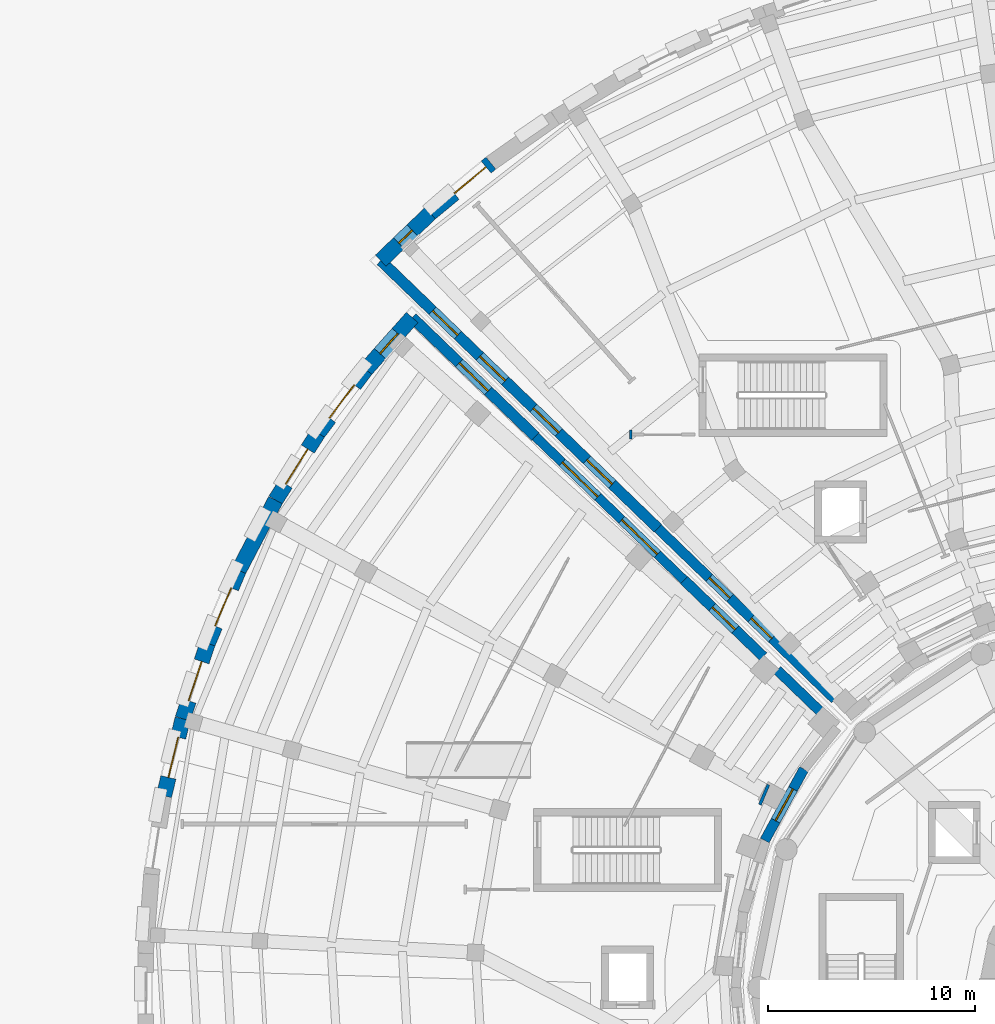
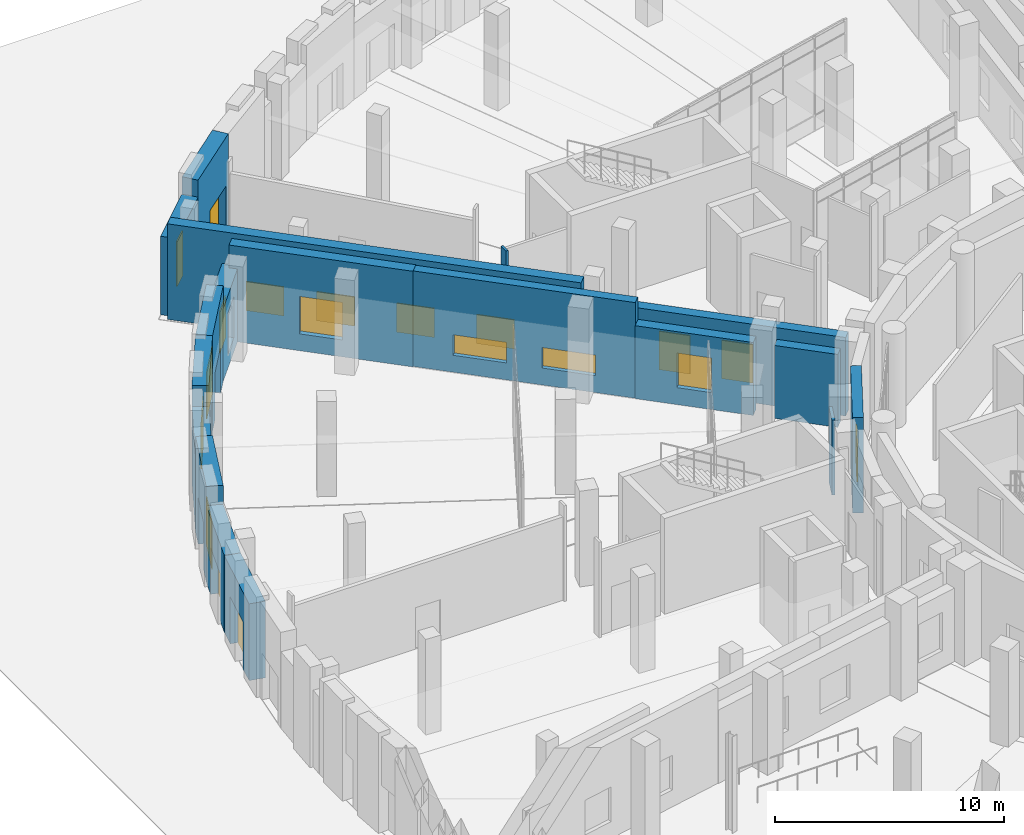
# One storey, part 48 of 74: 18 walls, 13 windows, 6 doors, 19 openings.
"""IFC4 building model written with IfcOpenShell, lengths in metres."""

from ifc_helpers import new_model, si_unit, direction, frame, frame_2d, origin, place, context, subcontext, project, spatial, rectangle, extrude, material, layer, layer_set, type_object, element, fill, save


model = new_model("IFC4")

# Units and contexts
model_context = context("Model", 3, precision=1e-05, world=origin(), true_north=direction((0.0, 1.0)))
body_context = subcontext(model_context, "Body", "Model", "MODEL_VIEW")
ifc_project = project(units=[si_unit("LENGTHUNIT", "METRE"), si_unit("AREAUNIT", "SQUARE_METRE"), si_unit("VOLUMEUNIT", "CUBIC_METRE"), si_unit("PLANEANGLEUNIT", "RADIAN"), si_unit("MASSUNIT", "GRAM", prefix="KILO")], contexts=[model_context])

# Site, building, storey
site_placement = place(None, origin())
site = spatial("IfcSite", under=ifc_project, at=site_placement, CompositionType="ELEMENT")
building_placement = place(site_placement, origin())
building = spatial("IfcBuilding", under=site, at=building_placement, Name="Soyqirgoq Riverine Aquarium", CompositionType="ELEMENT")
storey_placement = place(building_placement, origin())
storey = spatial("IfcBuildingStorey", under=building, at=storey_placement, Name="L01", CompositionType="ELEMENT", Elevation=0.0)

# Walls
ifc_material_1 = material(Name="Lightweight steel-stud gypsum partition", Category="steel")
ifc_layer_1 = layer(ifc_material_1, 0.1201171875)
ifc_layer_set_1 = layer_set([ifc_layer_1], Name="Lightweight steel-stud gypsum partition")
wall_type_1 = type_object("IfcWallType", Name="PartitionWall_120_Std", PredefinedType="PARTITIONING", material=ifc_layer_set_1)
wall_1_placement = place(storey_placement, frame((32.340087890625, 83.9599609375, 0.0), z_axis=(0.0, 0.0, 1.0), x_axis=(0.0, -1.0, 0.0)))
element("IfcWall", 1, at=wall_1_placement, inside=storey, type_object=wall_type_1, Name="V4 L01 Jamb Return Pier", PredefinedType="PARTITIONING", context=body_context, shape_type="SweptSolid", body=[
    extrude(rectangle(XDim=0.43994140625, YDim=0.1201171875, at=frame_2d((0.219970703125, 0.0))), origin(), (0.0, 0.0, 1.0), 4.489990234375),
])
ifc_material_2 = material(Name="Acoustic mineral-wool twin-stud partition", Category="gypsum")
ifc_layer_2 = layer(ifc_material_2, 0.14990234375)
ifc_layer_set_2 = layer_set([ifc_layer_2], Name="Acoustic mineral-wool twin-stud partition")
wall_type_2 = type_object("IfcWallType", Name="PartitionWall_150_Acoustic", PredefinedType="PARTITIONING", material=ifc_layer_set_2)
wall_2_placement = place(storey_placement, frame((39.0087890625, 66.809814453125, 0.0), z_axis=(0.0, 0.0, 1.0), x_axis=(-0.390722739326, -0.920508414396, 0.0)))
element("IfcWall", 2, at=wall_2_placement, inside=storey, type_object=wall_type_2, Name="Riverine Gallery Partition Wall", PredefinedType="PARTITIONING", context=body_context, shape_type="SweptSolid", body=[
    extrude(rectangle(XDim=1.051513671875, YDim=0.14990234375, at=frame_2d((0.52587890625, 0.0))), origin(), (0.0, 0.0, 1.0), 3.989990234375),
])

# Wall, openings, windows
ifc_material_3 = material(Name="Honed travertine limestone cavity wall", Category="masonry")
ifc_layer_3 = layer(ifc_material_3, 0.449951171875)
ifc_layer_set_3 = layer_set([ifc_layer_3], Name="Honed travertine limestone cavity wall")
wall_type_3 = type_object("IfcWallType", Name="TravertineCavityWall_450", PredefinedType="SOLIDWALL", material=ifc_layer_set_3)
wall_3_placement = place(storey_placement, frame((27.7392578125, 83.651611328125, 0.0), z_axis=(0.0, 0.0, 1.0), x_axis=(0.719337111916, -0.694661154392, 0.0)))
wall_3 = element("IfcWall", 3, at=wall_3_placement, inside=storey, type_object=wall_type_3, Name="V3 L01 Exterior Travertine Wall 0113", PredefinedType="SOLIDWALL", context=body_context, shape_type="SweptSolid", body=[
    extrude(rectangle(XDim=10.002685546875, YDim=0.449951171875, at=frame_2d((5.00146484375, 0.0))), origin(), (0.0, 0.0, 1.0), 5.10009765625),
])
opening_1_placement = place(wall_3_placement, frame((1.801513671875, 0.0, 0.89990234375)))
opening_1 = element("IfcOpeningElement", 4, at=opening_1_placement, cuts=wall_3, Name="Opening WN-10", PredefinedType="OPENING", context=body_context, shape_type="SweptSolid", body=[
    extrude(rectangle(XDim=2.39990234375, YDim=1.10009765625, at=frame_2d((1.199951171875, 0.550048828125))), frame((0.0, 0.23486328125, 0.0), z_axis=(0.0, -1.0, 0.0), x_axis=(1.0, 0.0, 0.0)), (0.0, 0.0, 1.0), 0.469970703125),
])
opening_2_placement = place(wall_3_placement, frame((5.801513671875, 0.0, 0.89990234375)))
opening_2 = element("IfcOpeningElement", 5, at=opening_2_placement, cuts=wall_3, Name="Opening WN-10", PredefinedType="OPENING", context=body_context, shape_type="SweptSolid", body=[
    extrude(rectangle(XDim=2.39990234375, YDim=1.10009765625, at=frame_2d((1.199951171875, 0.550048828125))), frame((0.0, 0.23486328125, 0.0), z_axis=(0.0, -1.0, 0.0), x_axis=(1.0, 0.0, 0.0)), (0.0, 0.0, 1.0), 0.469970703125),
])
ifc_material_4 = material(Name="Thermally broken aluminium triple low-E window", Category="aluminium")
window_type_1 = type_object("IfcWindowType", Name="Win_Clerestory_2400x1100", PartitioningType="DOUBLE_PANEL_HORIZONTAL", PredefinedType="LIGHTDOME", material=ifc_material_4)
window_1_placement = place(opening_1_placement, origin())
window_1 = element("IfcWindow", 6, at=window_1_placement, inside=storey, type_object=window_type_1, Name="V3 L01 Facade Window 0071", OverallHeight=1.10009765625, OverallWidth=2.39990234375, PartitioningType="DOUBLE_PANEL_HORIZONTAL", PredefinedType="LIGHTDOME", context=body_context, shape_type="SweptSolid", body=[
    extrude(rectangle(XDim=2.39990234375, YDim=1.10009765625, at=frame_2d((1.199951171875, 0.550048828125))), frame((0.0, 0.030029296875, 0.0), z_axis=(0.0, -1.0, 0.0), x_axis=(1.0, 0.0, 0.0)), (0.0, 0.0, 1.0), 0.06005859375),
])
fill(opening_1, window_1)
window_2_placement = place(opening_2_placement, origin())
window_2 = element("IfcWindow", 7, at=window_2_placement, inside=storey, type_object=window_type_1, Name="V3 L01 Facade Window 0072", OverallHeight=1.10009765625, OverallWidth=2.39990234375, PartitioningType="DOUBLE_PANEL_HORIZONTAL", PredefinedType="LIGHTDOME", context=body_context, shape_type="SweptSolid", body=[
    extrude(rectangle(XDim=2.39990234375, YDim=1.10009765625, at=frame_2d((1.199951171875, 0.550048828125))), frame((0.0, 0.030029296875, 0.0), z_axis=(0.0, -1.0, 0.0), x_axis=(1.0, 0.0, 0.0)), (0.0, 0.0, 1.0), 0.06005859375),
])
fill(opening_2, window_2)

# Wall, opening, window
ifc_material_5 = material(Name="Honed travertine limestone cavity wall", Category="masonry")
ifc_layer_4 = layer(ifc_material_5, 0.47998046875)
ifc_layer_set_4 = layer_set([ifc_layer_4], Name="Honed travertine limestone cavity wall")
wall_type_4 = type_object("IfcWallType", Name="TravertineCavityWall_480", PredefinedType="SOLIDWALL", material=ifc_layer_set_4)
wall_4_placement = place(storey_placement, frame((40.726318359375, 67.562744140625, 0.0), z_axis=(0.0, 0.0, 1.0), x_axis=(-0.480801851499, -0.876829276196, 0.0)))
wall_4 = element("IfcWall", 8, at=wall_4_placement, inside=storey, type_object=wall_type_4, Name="V3 L01 Exterior Travertine Wall 0093", PredefinedType="SOLIDWALL", context=body_context, shape_type="SweptSolid", body=[
    extrude(rectangle(XDim=3.936767578125, YDim=0.47998046875, at=frame_2d((1.96826171875, 0.0))), origin(), (0.0, 0.0, 1.0), 5.10009765625),
])
opening_3_placement = place(wall_4_placement, frame((1.093505859375, 0.0, 0.89990234375)))
opening_3 = element("IfcOpeningElement", 9, at=opening_3_placement, cuts=wall_4, Name="Opening WN-19", PredefinedType="OPENING", context=body_context, shape_type="SweptSolid", body=[
    extrude(rectangle(XDim=1.75, YDim=1.85009765625, at=frame_2d((0.875, 0.925048828125))), frame((0.0, 0.25, 0.0), z_axis=(0.0, -1.0, 0.0), x_axis=(1.0, 0.0, 0.0)), (0.0, 0.0, 1.0), 0.5),
])
ifc_material_6 = material(Name="Thermally broken aluminium triple low-E window", Category="aluminium")
window_type_2 = type_object("IfcWindowType", Name="Win_Office_1750x1850", PartitioningType="DOUBLE_PANEL_VERTICAL", PredefinedType="WINDOW", material=ifc_material_6)
window_3_placement = place(opening_3_placement, origin())
window_3 = element("IfcWindow", 10, at=window_3_placement, inside=storey, type_object=window_type_2, Name="V3 L01 Facade Window 0059", OverallHeight=1.85009765625, OverallWidth=1.75, PartitioningType="DOUBLE_PANEL_VERTICAL", PredefinedType="WINDOW", context=body_context, shape_type="SweptSolid", body=[
    extrude(rectangle(XDim=1.75, YDim=1.85009765625, at=frame_2d((0.875, 0.925048828125))), frame((0.0, 0.030029296875, 0.0), z_axis=(0.0, -1.0, 0.0), x_axis=(1.0, 0.0, 0.0)), (0.0, 0.0, 1.0), 0.06005859375),
])
fill(opening_3, window_3)

# Wall
wall_5_placement = place(storey_placement, frame((39.4384765625, 72.353759765625, 0.0), z_axis=(0.0, 0.0, 1.0), x_axis=(0.719325028511, -0.694673666809, 0.0)))
element("IfcWall", 11, at=wall_5_placement, inside=storey, type_object=wall_type_4, Name="V3 L01 Exterior Travertine Wall 0115", PredefinedType="SOLIDWALL", context=body_context, shape_type="SweptSolid", body=[
    extrude(rectangle(XDim=2.862060546875, YDim=0.47998046875, at=frame_2d((1.43115234375, 0.0))), origin(), (0.0, 0.0, 1.0), 3.889892578125),
])

# Wall, openings, windows
wall_6_placement = place(storey_placement, frame((42.226318359375, 70.9404296875, 0.0), z_axis=(0.0, 0.0, 1.0), x_axis=(-0.719340699073, 0.694657439791, 0.0)))
wall_6 = element("IfcWall", 12, at=wall_6_placement, inside=storey, type_object=wall_type_4, Name="V4 L01 Exterior Travertine Wall 0160", PredefinedType="SOLIDWALL", context=body_context, shape_type="SweptSolid", body=[
    extrude(rectangle(XDim=11.90869140625, YDim=0.47998046875, at=frame_2d((5.954345703125, 0.0))), origin(), (0.0, 0.0, 1.0), 4.18994140625),
])
opening_4_placement = place(wall_6_placement, frame((4.234375, 0.0, 0.89990234375)))
opening_4 = element("IfcOpeningElement", 13, at=opening_4_placement, cuts=wall_6, Name="Opening WN-20", PredefinedType="OPENING", context=body_context, shape_type="SweptSolid", body=[
    extrude(rectangle(XDim=1.39990234375, YDim=2.050048828125, at=frame_2d((0.699951171875, 1.02490234375))), frame((0.0, 0.25, 0.0), z_axis=(0.0, -1.0, 0.0), x_axis=(1.0, 0.0, 0.0)), (0.0, 0.0, 1.0), 0.5),
])
opening_5_placement = place(wall_6_placement, frame((7.05419921875, 0.0, 0.89990234375)))
opening_5 = element("IfcOpeningElement", 14, at=opening_5_placement, cuts=wall_6, Name="Opening WN-20", PredefinedType="OPENING", context=body_context, shape_type="SweptSolid", body=[
    extrude(rectangle(XDim=1.39990234375, YDim=2.050048828125, at=frame_2d((0.699951171875, 1.02490234375))), frame((0.0, 0.25, 0.0), z_axis=(0.0, -1.0, 0.0), x_axis=(1.0, 0.0, 0.0)), (0.0, 0.0, 1.0), 0.5),
])
ifc_material_7 = material(Name="Thermally broken aluminium triple low-E window", Category="aluminium")
window_type_3 = type_object("IfcWindowType", Name="Win_Gallery_1400x2050", PartitioningType="DOUBLE_PANEL_VERTICAL", PredefinedType="WINDOW", material=ifc_material_7)
window_4_placement = place(opening_4_placement, origin())
window_4 = element("IfcWindow", 15, at=window_4_placement, inside=storey, type_object=window_type_3, Name="V4 L01 Facade Window 0102", OverallHeight=2.050048828125, OverallWidth=1.39990234375, PartitioningType="DOUBLE_PANEL_VERTICAL", PredefinedType="WINDOW", context=body_context, shape_type="SweptSolid", body=[
    extrude(rectangle(XDim=1.39990234375, YDim=2.050048828125, at=frame_2d((0.699951171875, 1.02490234375))), frame((0.0, 0.030029296875, 0.0), z_axis=(0.0, -1.0, 0.0), x_axis=(1.0, 0.0, 0.0)), (0.0, 0.0, 1.0), 0.06005859375),
])
fill(opening_4, window_4)
window_5_placement = place(opening_5_placement, origin())
window_5 = element("IfcWindow", 16, at=window_5_placement, inside=storey, type_object=window_type_3, Name="V4 L01 Facade Window 0103", OverallHeight=2.050048828125, OverallWidth=1.39990234375, PartitioningType="DOUBLE_PANEL_VERTICAL", PredefinedType="WINDOW", context=body_context, shape_type="SweptSolid", body=[
    extrude(rectangle(XDim=1.39990234375, YDim=2.050048828125, at=frame_2d((0.699951171875, 1.02490234375))), frame((0.0, 0.030029296875, 0.0), z_axis=(0.0, -1.0, 0.0), x_axis=(1.0, 0.0, 0.0)), (0.0, 0.0, 1.0), 0.06005859375),
])
fill(opening_5, window_5)

# Wall, opening, window
ifc_material_8 = material(Name="Honed travertine limestone cavity wall", Category="masonry")
ifc_layer_5 = layer(ifc_material_8, 0.5)
ifc_layer_set_5 = layer_set([ifc_layer_5], Name="Honed travertine limestone cavity wall")
wall_type_5 = type_object("IfcWallType", Name="TravertineCavityWall_500", PredefinedType="SOLIDWALL", material=ifc_layer_set_5)
wall_7_placement = place(storey_placement, frame((34.9345703125, 76.703125, 0.0), z_axis=(0.0, 0.0, 1.0), x_axis=(0.719342947119, -0.694655111858, 0.0)))
wall_7 = element("IfcWall", 17, at=wall_7_placement, inside=storey, type_object=wall_type_5, Name="V3 L01 Exterior Travertine Wall 0114", PredefinedType="SOLIDWALL", context=body_context, shape_type="SweptSolid", body=[
    extrude(rectangle(XDim=5.3203125, YDim=0.5, at=frame_2d((2.66015625, 0.0))), origin(), (0.0, 0.0, 1.0), 3.889892578125),
])
opening_6_placement = place(wall_7_placement, frame((1.88525390625, 0.0, 0.89990234375)))
opening_6 = element("IfcOpeningElement", 18, at=opening_6_placement, cuts=wall_7, Name="Opening WN-18", PredefinedType="OPENING", context=body_context, shape_type="SweptSolid", body=[
    extrude(rectangle(XDim=1.550048828125, YDim=1.85009765625, at=frame_2d((0.77490234375, 0.925048828125))), frame((0.0, 0.260009765625, 0.0), z_axis=(0.0, -1.0, 0.0), x_axis=(1.0, 0.0, 0.0)), (0.0, 0.0, 1.0), 0.52001953125),
])
ifc_material_9 = material(Name="Thermally broken aluminium triple low-E window", Category="aluminium")
window_type_4 = type_object("IfcWindowType", Name="Win_Office_1550x1850", PartitioningType="DOUBLE_PANEL_VERTICAL", PredefinedType="WINDOW", material=ifc_material_9)
window_6_placement = place(opening_6_placement, origin())
window_6 = element("IfcWindow", 19, at=window_6_placement, inside=storey, type_object=window_type_4, Name="V3 L01 Facade Window 0073", OverallHeight=1.85009765625, OverallWidth=1.550048828125, PartitioningType="DOUBLE_PANEL_VERTICAL", PredefinedType="WINDOW", context=body_context, shape_type="SweptSolid", body=[
    extrude(rectangle(XDim=1.550048828125, YDim=1.85009765625, at=frame_2d((0.77490234375, 0.925048828125))), frame((0.0, 0.030029296875, 0.0), z_axis=(0.0, -1.0, 0.0), x_axis=(1.0, 0.0, 0.0)), (0.0, 0.0, 1.0), 0.06005859375),
])
fill(opening_6, window_6)

ifc_material_10 = material(Name="Honed travertine limestone cavity wall", Category="masonry")
ifc_layer_6 = layer(ifc_material_10, 0.52001953125)
ifc_layer_set_6 = layer_set([ifc_layer_6], Name="Honed travertine limestone cavity wall")
wall_type_6 = type_object("IfcWallType", Name="TravertineCavityWall_520", PredefinedType="SOLIDWALL", material=ifc_layer_set_6)
wall_8_placement = place(storey_placement, frame((21.77734375, 89.408935546875, 0.0), z_axis=(0.0, 0.0, 1.0), x_axis=(0.719341564929, -0.694656543168, 0.0)))
wall_8 = element("IfcWall", 20, at=wall_8_placement, inside=storey, type_object=wall_type_6, Name="V3 L01 Exterior Travertine Wall 0112", PredefinedType="SOLIDWALL", context=body_context, shape_type="SweptSolid", body=[
    extrude(rectangle(XDim=8.2880859375, YDim=0.52001953125, at=frame_2d((4.14404296875, 0.0))), origin(), (0.0, 0.0, 1.0), 5.10009765625),
])
opening_7_placement = place(wall_8_placement, frame((3.1689453125, 0.0, 0.89990234375)))
opening_7 = element("IfcOpeningElement", 21, at=opening_7_placement, cuts=wall_8, Name="Opening WN-14", PredefinedType="OPENING", context=body_context, shape_type="SweptSolid", body=[
    extrude(rectangle(XDim=1.949951171875, YDim=2.0, at=frame_2d((0.97509765625, 1.0))), frame((0.0, 0.27001953125, 0.0), z_axis=(0.0, -1.0, 0.0), x_axis=(1.0, 0.0, 0.0)), (0.0, 0.0, 1.0), 0.5400390625),
])
ifc_material_11 = material(Name="Thermally broken aluminium triple low-E window", Category="aluminium")
window_type_5 = type_object("IfcWindowType", Name="Win_Gallery_1950x2000", PartitioningType="DOUBLE_PANEL_VERTICAL", PredefinedType="WINDOW", material=ifc_material_11)
window_7_placement = place(opening_7_placement, origin())
window_7 = element("IfcWindow", 22, at=window_7_placement, inside=storey, type_object=window_type_5, Name="V3 L01 Facade Window 0070", OverallHeight=2.0, OverallWidth=1.949951171875, PartitioningType="DOUBLE_PANEL_VERTICAL", PredefinedType="WINDOW", context=body_context, shape_type="SweptSolid", body=[
    extrude(rectangle(XDim=1.949951171875, YDim=2.0, at=frame_2d((0.97509765625, 1.0))), frame((0.0, 0.030029296875, 0.0), z_axis=(0.0, -1.0, 0.0), x_axis=(1.0, 0.0, 0.0)), (0.0, 0.0, 1.0), 0.06005859375),
])
fill(opening_7, window_7)

# Wall, openings, windows
wall_9_placement = place(storey_placement, frame((33.659912109375, 79.212890625, 0.0), z_axis=(0.0, 0.0, 1.0), x_axis=(-0.719335980864, 0.694662325619, 0.0)))
wall_9 = element("IfcWall", 23, at=wall_9_placement, inside=storey, type_object=wall_type_6, Name="V4 L01 Exterior Travertine Wall 0161", PredefinedType="SOLIDWALL", context=body_context, shape_type="SweptSolid", body=[
    extrude(rectangle(XDim=18.6318359375, YDim=0.52001953125, at=frame_2d((9.31591796875, 0.0))), origin(), (0.0, 0.0, 1.0), 5.10009765625),
])
opening_8_placement = place(wall_9_placement, frame((3.06591796875, 0.0, 0.89990234375)))
opening_8 = element("IfcOpeningElement", 24, at=opening_8_placement, cuts=wall_9, Name="Opening WN-21", PredefinedType="OPENING", context=body_context, shape_type="SweptSolid", body=[
    extrude(rectangle(XDim=1.699951171875, YDim=1.550048828125, at=frame_2d((0.85009765625, 0.77490234375))), frame((0.0, 0.27001953125, 0.0), z_axis=(0.0, -1.0, 0.0), x_axis=(1.0, 0.0, 0.0)), (0.0, 0.0, 1.0), 0.5400390625),
])
opening_9_placement = place(wall_9_placement, frame((6.666015625, 0.0, 0.89990234375)))
opening_9 = element("IfcOpeningElement", 25, at=opening_9_placement, cuts=wall_9, Name="Opening WN-21", PredefinedType="OPENING", context=body_context, shape_type="SweptSolid", body=[
    extrude(rectangle(XDim=1.699951171875, YDim=1.550048828125, at=frame_2d((0.85009765625, 0.77490234375))), frame((0.0, 0.27001953125, 0.0), z_axis=(0.0, -1.0, 0.0), x_axis=(1.0, 0.0, 0.0)), (0.0, 0.0, 1.0), 0.5400390625),
])
opening_10_placement = place(wall_9_placement, frame((10.26611328125, 0.0, 0.89990234375)))
opening_10 = element("IfcOpeningElement", 26, at=opening_10_placement, cuts=wall_9, Name="Opening WN-21", PredefinedType="OPENING", context=body_context, shape_type="SweptSolid", body=[
    extrude(rectangle(XDim=1.699951171875, YDim=1.550048828125, at=frame_2d((0.85009765625, 0.77490234375))), frame((0.0, 0.27001953125, 0.0), z_axis=(0.0, -1.0, 0.0), x_axis=(1.0, 0.0, 0.0)), (0.0, 0.0, 1.0), 0.5400390625),
])
opening_11_placement = place(wall_9_placement, frame((13.446044921875, 0.0, 0.89990234375)))
opening_11 = element("IfcOpeningElement", 27, at=opening_11_placement, cuts=wall_9, Name="Opening WN-21", PredefinedType="OPENING", context=body_context, shape_type="SweptSolid", body=[
    extrude(rectangle(XDim=1.699951171875, YDim=1.550048828125, at=frame_2d((0.85009765625, 0.77490234375))), frame((0.0, 0.27001953125, 0.0), z_axis=(0.0, -1.0, 0.0), x_axis=(1.0, 0.0, 0.0)), (0.0, 0.0, 1.0), 0.5400390625),
])
ifc_material_12 = material(Name="Thermally broken aluminium triple low-E window", Category="aluminium")
window_type_6 = type_object("IfcWindowType", Name="Win_Lab_1700x1550", PartitioningType="DOUBLE_PANEL_VERTICAL", PredefinedType="WINDOW", material=ifc_material_12)
window_8_placement = place(opening_8_placement, origin())
window_8 = element("IfcWindow", 28, at=window_8_placement, inside=storey, type_object=window_type_6, Name="V4 L01 Facade Window 0104", OverallHeight=1.550048828125, OverallWidth=1.699951171875, PartitioningType="DOUBLE_PANEL_VERTICAL", PredefinedType="WINDOW", context=body_context, shape_type="SweptSolid", body=[
    extrude(rectangle(XDim=1.699951171875, YDim=1.550048828125, at=frame_2d((0.85009765625, 0.77490234375))), frame((0.0, 0.030029296875, 0.0), z_axis=(0.0, -1.0, 0.0), x_axis=(1.0, 0.0, 0.0)), (0.0, 0.0, 1.0), 0.06005859375),
])
fill(opening_8, window_8)
window_9_placement = place(opening_9_placement, origin())
window_9 = element("IfcWindow", 29, at=window_9_placement, inside=storey, type_object=window_type_6, Name="V4 L01 Facade Window 0105", OverallHeight=1.550048828125, OverallWidth=1.699951171875, PartitioningType="DOUBLE_PANEL_VERTICAL", PredefinedType="WINDOW", context=body_context, shape_type="SweptSolid", body=[
    extrude(rectangle(XDim=1.699951171875, YDim=1.550048828125, at=frame_2d((0.85009765625, 0.77490234375))), frame((0.0, 0.030029296875, 0.0), z_axis=(0.0, -1.0, 0.0), x_axis=(1.0, 0.0, 0.0)), (0.0, 0.0, 1.0), 0.06005859375),
])
fill(opening_9, window_9)
window_10_placement = place(opening_10_placement, origin())
window_10 = element("IfcWindow", 30, at=window_10_placement, inside=storey, type_object=window_type_6, Name="V4 L01 Facade Window 0106", OverallHeight=1.550048828125, OverallWidth=1.699951171875, PartitioningType="DOUBLE_PANEL_VERTICAL", PredefinedType="WINDOW", context=body_context, shape_type="SweptSolid", body=[
    extrude(rectangle(XDim=1.699951171875, YDim=1.550048828125, at=frame_2d((0.85009765625, 0.77490234375))), frame((0.0, 0.030029296875, 0.0), z_axis=(0.0, -1.0, 0.0), x_axis=(1.0, 0.0, 0.0)), (0.0, 0.0, 1.0), 0.06005859375),
])
fill(opening_10, window_10)
window_11_placement = place(opening_11_placement, origin())
window_11 = element("IfcWindow", 31, at=window_11_placement, inside=storey, type_object=window_type_6, Name="V4 L01 Facade Window 0107", OverallHeight=1.550048828125, OverallWidth=1.699951171875, PartitioningType="DOUBLE_PANEL_VERTICAL", PredefinedType="WINDOW", context=body_context, shape_type="SweptSolid", body=[
    extrude(rectangle(XDim=1.699951171875, YDim=1.550048828125, at=frame_2d((0.85009765625, 0.77490234375))), frame((0.0, 0.030029296875, 0.0), z_axis=(0.0, -1.0, 0.0), x_axis=(1.0, 0.0, 0.0)), (0.0, 0.0, 1.0), 0.06005859375),
])
fill(opening_11, window_11)

# Wall, opening, door
ifc_material_13 = material(Name="Honed travertine limestone cavity wall", Category="masonry")
ifc_layer_7 = layer(ifc_material_13, 0.75)
ifc_layer_set_7 = layer_set([ifc_layer_7], Name="Honed travertine limestone cavity wall")
wall_type_7 = type_object("IfcWallType", Name="TravertineNicheWall_750", PredefinedType="SOLIDWALL", material=ifc_layer_set_7)
wall_10_placement = place(storey_placement, frame((9.769775390625, 66.265625, 0.0), z_axis=(0.0, 0.0, 1.0), x_axis=(0.236246101935, 0.971693253718, 0.0)))
wall_10 = element("IfcWall", 32, at=wall_10_placement, inside=storey, type_object=wall_type_7, Name="V3 L01 Exterior Travertine Wall 0105", PredefinedType="SOLIDWALL", context=body_context, shape_type="SweptSolid", body=[
    extrude(rectangle(XDim=3.839111328125, YDim=0.75, at=frame_2d((1.91943359375, 0.0))), origin(), (0.0, 0.0, 1.0), 4.090087890625),
])
opening_12_placement = place(wall_10_placement, frame((0.919677734375, 0.0, 0.0)))
opening_12 = element("IfcOpeningElement", 33, at=opening_12_placement, cuts=wall_10, Name="Opening ED-01", PredefinedType="OPENING", context=body_context, shape_type="SweptSolid", body=[
    extrude(rectangle(XDim=2.0, YDim=2.5, at=frame_2d((1.0, 1.25))), frame((0.0, 0.385009765625, 0.0), z_axis=(0.0, -1.0, 0.0), x_axis=(1.0, 0.0, 0.0)), (0.0, 0.0, 1.0), 0.77001953125),
])
ifc_material_14 = material(Name="Anodised aluminium glazed entrance door", Category="aluminium")
door_type = type_object("IfcDoorType", Name="ExitDoubleDoor_2000x2500", OperationType="DOUBLE_DOOR_SINGLE_SWING", PredefinedType="DOOR", material=ifc_material_14)
door_1_placement = place(opening_12_placement, origin())
door_1 = element("IfcDoor", 34, at=door_1_placement, inside=storey, type_object=door_type, Name="EDR-V3-L01-08 V3 L01 Grade Pedestrian Exit Discharge Door 08", OperationType="DOUBLE_DOOR_SINGLE_SWING", OverallHeight=2.5, OverallWidth=2.0, PredefinedType="DOOR", context=body_context, shape_type="SweptSolid", body=[
    extrude(rectangle(XDim=2.0, YDim=2.5, at=frame_2d((1.0, 1.25))), frame((0.0, 0.02490234375, 0.0), z_axis=(0.0, -1.0, 0.0), x_axis=(1.0, 0.0, 0.0)), (0.0, 0.0, 1.0), 0.050048828125),
])
fill(opening_12, door_1)

wall_11_placement = place(storey_placement, frame((10.6767578125, 69.99609375, 0.0), z_axis=(0.0, 0.0, 1.0), x_axis=(0.31451034976, 0.949254043918, 0.0)))
wall_11 = element("IfcWall", 35, at=wall_11_placement, inside=storey, type_object=wall_type_7, Name="V3 L01 Exterior Travertine Wall 0106", PredefinedType="SOLIDWALL", context=body_context, shape_type="SweptSolid", body=[
    extrude(rectangle(XDim=3.83935546875, YDim=0.75, at=frame_2d((1.919677734375, 0.0))), origin(), (0.0, 0.0, 1.0), 4.090087890625),
])
opening_13_placement = place(wall_11_placement, frame((0.919677734375, 0.0, 0.0)))
opening_13 = element("IfcOpeningElement", 36, at=opening_13_placement, cuts=wall_11, Name="Opening ED-01", PredefinedType="OPENING", context=body_context, shape_type="SweptSolid", body=[
    extrude(rectangle(XDim=2.0, YDim=2.5, at=frame_2d((1.0, 1.25))), frame((0.0, 0.385009765625, 0.0), z_axis=(0.0, -1.0, 0.0), x_axis=(1.0, 0.0, 0.0)), (0.0, 0.0, 1.0), 0.77001953125),
])
door_2_placement = place(opening_13_placement, origin())
door_2 = element("IfcDoor", 37, at=door_2_placement, inside=storey, type_object=door_type, Name="EDR-V3-L01-09 V3 L01 Grade Pedestrian Exit Discharge Door 09", OperationType="DOUBLE_DOOR_SINGLE_SWING", OverallHeight=2.5, OverallWidth=2.0, PredefinedType="DOOR", context=body_context, shape_type="SweptSolid", body=[
    extrude(rectangle(XDim=2.0, YDim=2.5, at=frame_2d((1.0, 1.25))), frame((0.0, 0.02490234375, 0.0), z_axis=(0.0, -1.0, 0.0), x_axis=(1.0, 0.0, 0.0)), (0.0, 0.0, 1.0), 0.050048828125),
])
fill(opening_13, door_2)

wall_12_placement = place(storey_placement, frame((11.88427734375, 73.640625, 0.0), z_axis=(0.0, 0.0, 1.0), x_axis=(0.390770302988, 0.920488223881, 0.0)))
wall_12 = element("IfcWall", 38, at=wall_12_placement, inside=storey, type_object=wall_type_7, Name="V3 L01 Exterior Travertine Wall 0107", PredefinedType="SOLIDWALL", context=body_context, shape_type="SweptSolid", body=[
    extrude(rectangle(XDim=3.839111328125, YDim=0.75, at=frame_2d((1.91943359375, 0.0))), origin(), (0.0, 0.0, 1.0), 5.10009765625),
])
opening_14_placement = place(wall_12_placement, frame((0.919677734375, 0.0, 0.0)))
opening_14 = element("IfcOpeningElement", 39, at=opening_14_placement, cuts=wall_12, Name="Opening ED-01", PredefinedType="OPENING", context=body_context, shape_type="SweptSolid", body=[
    extrude(rectangle(XDim=2.0, YDim=2.5, at=frame_2d((1.0, 1.25))), frame((0.0, 0.385009765625, 0.0), z_axis=(0.0, -1.0, 0.0), x_axis=(1.0, 0.0, 0.0)), (0.0, 0.0, 1.0), 0.77001953125),
])
door_3_placement = place(opening_14_placement, origin())
door_3 = element("IfcDoor", 40, at=door_3_placement, inside=storey, type_object=door_type, Name="EDR-V3-L01-10 V3 L01 Grade Pedestrian Exit Discharge Door 10", OperationType="DOUBLE_DOOR_SINGLE_SWING", OverallHeight=2.5, OverallWidth=2.0, PredefinedType="DOOR", context=body_context, shape_type="SweptSolid", body=[
    extrude(rectangle(XDim=2.0, YDim=2.5, at=frame_2d((1.0, 1.25))), frame((0.0, 0.02490234375, 0.0), z_axis=(0.0, -1.0, 0.0), x_axis=(1.0, 0.0, 0.0)), (0.0, 0.0, 1.0), 0.050048828125),
])
fill(opening_14, door_3)

# Wall
wall_13_placement = place(storey_placement, frame((13.384521484375, 77.174560546875, 0.0), z_axis=(0.0, 0.0, 1.0), x_axis=(0.464325361248, 0.885664698914, 0.0)))
element("IfcWall", 41, at=wall_13_placement, inside=storey, type_object=wall_type_7, Name="V3 L01 Exterior Travertine Wall 0108", PredefinedType="SOLIDWALL", context=body_context, shape_type="SweptSolid", body=[
    extrude(rectangle(XDim=3.83935546875, YDim=0.75, at=frame_2d((1.919677734375, 0.0))), origin(), (0.0, 0.0, 1.0), 3.989990234375),
])

# Wall, opening, door
wall_14_placement = place(storey_placement, frame((15.167236328125, 80.574951171875, 0.0), z_axis=(0.0, 0.0, 1.0), x_axis=(0.534820583103, 0.844965646574, 0.0)))
wall_14 = element("IfcWall", 42, at=wall_14_placement, inside=storey, type_object=wall_type_7, Name="V3 L01 Exterior Travertine Wall 0109", PredefinedType="SOLIDWALL", context=body_context, shape_type="SweptSolid", body=[
    extrude(rectangle(XDim=3.839111328125, YDim=0.75, at=frame_2d((1.91943359375, 0.0))), origin(), (0.0, 0.0, 1.0), 5.10009765625),
])
opening_15_placement = place(wall_14_placement, frame((0.919677734375, 0.0, 0.0)))
opening_15 = element("IfcOpeningElement", 43, at=opening_15_placement, cuts=wall_14, Name="Opening ED-01", PredefinedType="OPENING", context=body_context, shape_type="SweptSolid", body=[
    extrude(rectangle(XDim=2.0, YDim=2.5, at=frame_2d((1.0, 1.25))), frame((0.0, 0.385009765625, 0.0), z_axis=(0.0, -1.0, 0.0), x_axis=(1.0, 0.0, 0.0)), (0.0, 0.0, 1.0), 0.77001953125),
])
door_4_placement = place(opening_15_placement, origin())
door_4 = element("IfcDoor", 44, at=door_4_placement, inside=storey, type_object=door_type, Name="EDR-V3-L01-11 V3 L01 Grade Pedestrian Exit Discharge Door 11", OperationType="DOUBLE_DOOR_SINGLE_SWING", OverallHeight=2.5, OverallWidth=2.0, PredefinedType="DOOR", context=body_context, shape_type="SweptSolid", body=[
    extrude(rectangle(XDim=2.0, YDim=2.5, at=frame_2d((1.0, 1.25))), frame((0.0, 0.02490234375, 0.0), z_axis=(0.0, -1.0, 0.0), x_axis=(1.0, 0.0, 0.0)), (0.0, 0.0, 1.0), 0.050048828125),
])
fill(opening_15, door_4)

wall_15_placement = place(storey_placement, frame((17.220458984375, 83.81884765625, 0.0), z_axis=(0.0, 0.0, 1.0), x_axis=(0.601819674659, 0.798632004864, 0.0)))
wall_15 = element("IfcWall", 45, at=wall_15_placement, inside=storey, type_object=wall_type_7, Name="V3 L01 Exterior Travertine Wall 0110", PredefinedType="SOLIDWALL", context=body_context, shape_type="SweptSolid", body=[
    extrude(rectangle(XDim=3.83935546875, YDim=0.75, at=frame_2d((1.919677734375, 0.0))), origin(), (0.0, 0.0, 1.0), 5.10009765625),
])
opening_16_placement = place(wall_15_placement, frame((0.919677734375, 0.0, 0.0)))
opening_16 = element("IfcOpeningElement", 46, at=opening_16_placement, cuts=wall_15, Name="Opening ED-01", PredefinedType="OPENING", context=body_context, shape_type="SweptSolid", body=[
    extrude(rectangle(XDim=2.0, YDim=2.5, at=frame_2d((1.0, 1.25))), frame((0.0, 0.385009765625, 0.0), z_axis=(0.0, -1.0, 0.0), x_axis=(1.0, 0.0, 0.0)), (0.0, 0.0, 1.0), 0.77001953125),
])
door_5_placement = place(opening_16_placement, origin())
door_5 = element("IfcDoor", 47, at=door_5_placement, inside=storey, type_object=door_type, Name="EDR-V3-L01-12 V3 L01 Grade Pedestrian Exit Discharge Door 12", OperationType="DOUBLE_DOOR_SINGLE_SWING", OverallHeight=2.5, OverallWidth=2.0, PredefinedType="DOOR", context=body_context, shape_type="SweptSolid", body=[
    extrude(rectangle(XDim=2.0, YDim=2.5, at=frame_2d((1.0, 1.25))), frame((0.0, 0.02490234375, 0.0), z_axis=(0.0, -1.0, 0.0), x_axis=(1.0, 0.0, 0.0)), (0.0, 0.0, 1.0), 0.050048828125),
])
fill(opening_16, door_5)

# Wall, opening, window
wall_16_placement = place(storey_placement, frame((19.531005859375, 86.885009765625, 0.0), z_axis=(0.0, 0.0, 1.0), x_axis=(0.664834621829, 0.746990579336, 0.0)))
wall_16 = element("IfcWall", 48, at=wall_16_placement, inside=storey, type_object=wall_type_7, Name="V3 L01 Exterior Travertine Wall 0111", PredefinedType="SOLIDWALL", context=body_context, shape_type="SweptSolid", body=[
    extrude(rectangle(XDim=3.37890625, YDim=0.75, at=frame_2d((1.689453125, 0.0))), origin(), (0.0, 0.0, 1.0), 3.889892578125),
])
opening_17_placement = place(wall_16_placement, frame((1.039306640625, 0.0, 0.75)))
opening_17 = element("IfcOpeningElement", 49, at=opening_17_placement, cuts=wall_16, Name="Opening WN-12", PredefinedType="OPENING", context=body_context, shape_type="SweptSolid", body=[
    extrude(rectangle(XDim=1.300048828125, YDim=2.199951171875, at=frame_2d((0.64990234375, 1.10009765625))), frame((0.0, 0.385009765625, 0.0), z_axis=(0.0, -1.0, 0.0), x_axis=(1.0, 0.0, 0.0)), (0.0, 0.0, 1.0), 0.77001953125),
])
ifc_material_15 = material(Name="Thermally broken aluminium triple low-E window", Category="aluminium")
window_type_7 = type_object("IfcWindowType", Name="Win_Niche_1300x2200", PartitioningType="DOUBLE_PANEL_VERTICAL", PredefinedType="WINDOW", material=ifc_material_15)
window_12_placement = place(opening_17_placement, origin())
window_12 = element("IfcWindow", 50, at=window_12_placement, inside=storey, type_object=window_type_7, Name="V3 L01 Facade Window 0069", OverallHeight=2.199951171875, OverallWidth=1.300048828125, PartitioningType="DOUBLE_PANEL_VERTICAL", PredefinedType="WINDOW", context=body_context, shape_type="SweptSolid", body=[
    extrude(rectangle(XDim=1.300048828125, YDim=2.199951171875, at=frame_2d((0.64990234375, 1.10009765625))), frame((0.0, 0.030029296875, 0.0), z_axis=(0.0, -1.0, 0.0), x_axis=(1.0, 0.0, 0.0)), (0.0, 0.0, 1.0), 0.06005859375),
])
fill(opening_17, window_12)

wall_17_placement = place(storey_placement, frame((20.25732421875, 92.15576171875, 0.0), z_axis=(0.0, 0.0, 1.0), x_axis=(0.721359497575, 0.692560809791, 0.0)))
wall_17 = element("IfcWall", 51, at=wall_17_placement, inside=storey, type_object=wall_type_7, Name="V4 L01 Exterior Travertine Wall 0162", PredefinedType="SOLIDWALL", context=body_context, shape_type="SweptSolid", body=[
    extrude(rectangle(XDim=3.33154296875, YDim=0.75, at=frame_2d((1.665771484375, 0.0))), origin(), (0.0, 0.0, 1.0), 4.18994140625),
])
opening_18_placement = place(wall_17_placement, frame((1.2158203125, 0.0, 0.75)))
opening_18 = element("IfcOpeningElement", 52, at=opening_18_placement, cuts=wall_17, Name="Opening WN-01", PredefinedType="OPENING", context=body_context, shape_type="SweptSolid", body=[
    extrude(rectangle(XDim=0.89990234375, YDim=2.39990234375, at=frame_2d((0.449951171875, 1.199951171875))), frame((0.0, 0.385009765625, 0.0), z_axis=(0.0, -1.0, 0.0), x_axis=(1.0, 0.0, 0.0)), (0.0, 0.0, 1.0), 0.77001953125),
])
ifc_material_16 = material(Name="Thermally broken aluminium triple low-E window", Category="aluminium")
window_type_8 = type_object("IfcWindowType", Name="Win_Niche_900x2400", PartitioningType="SINGLE_PANEL", PredefinedType="WINDOW", material=ifc_material_16)
window_13_placement = place(opening_18_placement, origin())
window_13 = element("IfcWindow", 53, at=window_13_placement, inside=storey, type_object=window_type_8, Name="V4 L01 Facade Window 0108", OverallHeight=2.39990234375, OverallWidth=0.89990234375, PartitioningType="SINGLE_PANEL", PredefinedType="WINDOW", context=body_context, shape_type="SweptSolid", body=[
    extrude(rectangle(XDim=0.89990234375, YDim=2.39990234375, at=frame_2d((0.449951171875, 1.199951171875))), frame((0.0, 0.030029296875, 0.0), z_axis=(0.0, -1.0, 0.0), x_axis=(1.0, 0.0, 0.0)), (0.0, 0.0, 1.0), 0.06005859375),
])
fill(opening_18, window_13)

# Wall, opening, door
wall_18_placement = place(storey_placement, frame((22.66064453125, 94.463134765625, 0.0), z_axis=(0.0, 0.0, 1.0), x_axis=(0.771645805476, 0.636052474951, 0.0)))
wall_18 = element("IfcWall", 54, at=wall_18_placement, inside=storey, type_object=wall_type_7, Name="V4 L01 Exterior Travertine Wall 0163", PredefinedType="SOLIDWALL", context=body_context, shape_type="SweptSolid", body=[
    extrude(rectangle(XDim=3.7919921875, YDim=0.75, at=frame_2d((1.89599609375, 0.0))), origin(), (0.0, 0.0, 1.0), 5.10009765625),
])
opening_19_placement = place(wall_18_placement, frame((1.491943359375, 0.0, 0.0)))
opening_19 = element("IfcOpeningElement", 55, at=opening_19_placement, cuts=wall_18, Name="Opening ED-01", PredefinedType="OPENING", context=body_context, shape_type="SweptSolid", body=[
    extrude(rectangle(XDim=2.0, YDim=2.5, at=frame_2d((1.0, 1.25))), frame((0.0, 0.385009765625, 0.0), z_axis=(0.0, -1.0, 0.0), x_axis=(1.0, 0.0, 0.0)), (0.0, 0.0, 1.0), 0.77001953125),
])
door_6_placement = place(opening_19_placement, origin())
door_6 = element("IfcDoor", 56, at=door_6_placement, inside=storey, type_object=door_type, Name="EDR-EXIT-ST-4-L01 V4 L01 Final Exit Discharge Door ST-4", OperationType="DOUBLE_DOOR_SINGLE_SWING", OverallHeight=2.5, OverallWidth=2.0, PredefinedType="DOOR", context=body_context, shape_type="SweptSolid", body=[
    extrude(rectangle(XDim=2.0, YDim=2.5, at=frame_2d((1.0, 1.25))), frame((0.0, 0.02490234375, 0.0), z_axis=(0.0, -1.0, 0.0), x_axis=(1.0, 0.0, 0.0)), (0.0, 0.0, 1.0), 0.050048828125),
])
fill(opening_19, door_6)

save(model, "model.ifc")
